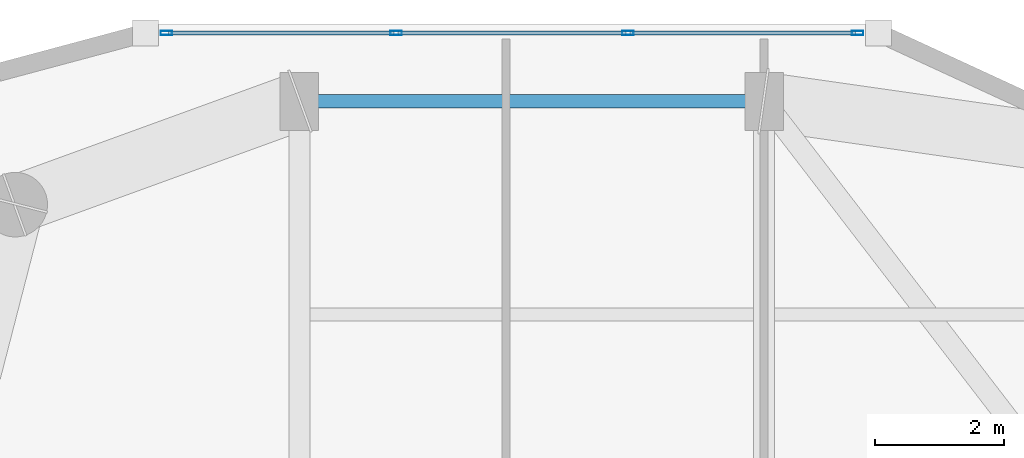
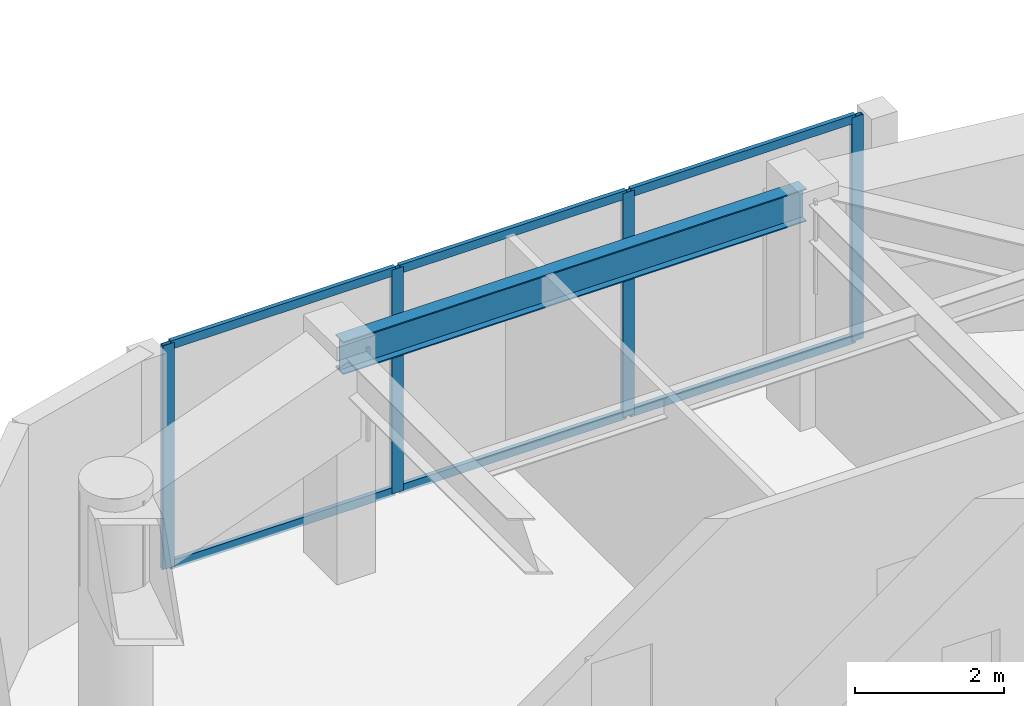
# One storey, part 6 of 16: 10 members, 1 beam, 1 element without a shape of its own.
"""IFC4 building model written with IfcOpenShell, lengths in metres."""

from ifc_helpers import new_model, si_unit, direction, frame, origin, origin_2d, place, context, subcontext, project, spatial, hollow_rectangle, i_section, extrude, material, layer, layer_set, material_profile, profile_set, type_object, element, aggregate, save


model = new_model("IFC4")

# Units and contexts
model_context = context("Model", 3, precision=1e-05, world=origin(), true_north=direction((0.0, 1.0)))
body_context = subcontext(model_context, "Body", "Model", "MODEL_VIEW")
ifc_project = project(units=[si_unit("LENGTHUNIT", "METRE"), si_unit("AREAUNIT", "SQUARE_METRE"), si_unit("VOLUMEUNIT", "CUBIC_METRE"), si_unit("PLANEANGLEUNIT", "RADIAN"), si_unit("MASSUNIT", "GRAM", prefix="KILO")], contexts=[model_context])

# Site, building, storey
site_placement = place(None, origin())
site = spatial("IfcSite", under=ifc_project, at=site_placement, CompositionType="ELEMENT")
building_placement = place(site_placement, origin())
building = spatial("IfcBuilding", under=site, at=building_placement, Name="Kiyonajd Concourse Tower", CompositionType="ELEMENT")
storey_placement = place(building_placement, frame((0.0, 0.0, 302.39990234375)))
storey = spatial("IfcBuildingStorey", under=building, at=storey_placement, Name="L76", CompositionType="ELEMENT", Elevation=302.39990234375)

# Beam
ifc_material_1 = material(Name="Steel ASTM A992 Grade 50", Category="steel")
ifc_material_profile_1 = material_profile(ifc_material_1, i_section(OverallWidth=0.2109375, OverallDepth=0.5390625, WebThickness=0.01171875, FlangeThickness=0.018798828125, at=origin_2d()), Name="W530X109")
ifc_profile_set_1 = profile_set([ifc_material_profile_1], Name="Steel ASTM A992 Grade 50")
beam_type = type_object("IfcBeamType", Name="BM-SPAN-530B", PredefinedType="SPANDREL", material=ifc_profile_set_1)
beam_placement = place(storey_placement, frame((39.60009765625, 52.199951171875, 3.41064453125), z_axis=(-1.0, 0.0, 0.0), x_axis=(0.0, -1.0, 0.0)))
element("IfcBeam", 1, at=beam_placement, inside=storey, type_object=beam_type, Name="L76 Perimeter Bundled Tube Spandrel", PredefinedType="SPANDREL", context=body_context, shape_type="SweptSolid", body=[
    extrude(i_section(OverallWidth=0.2109375, OverallDepth=0.5390625, WebThickness=0.01171875, FlangeThickness=0.018798828125, at=origin_2d()), origin(), (0.0, 0.0, 1.0), 7.2001953125),
])

# Curtain wall, members
ifc_material_2 = material(Name="Thermally Broken Anodised Aluminium", Category="aluminium")
ifc_layer = layer(ifc_material_2, 0.179931640625)
ifc_layer_set = layer_set([ifc_layer], Name="Thermally Broken Anodised Aluminium")
curtain_wall_type = type_object("IfcCurtainWallType", Name="CW-SYS-04", PredefinedType="NOTDEFINED", material=ifc_layer_set)
curtain_wall_placement = place(storey_placement, origin())
curtain_wall = element("IfcCurtainWall", 2, at=curtain_wall_placement, inside=storey, type_object=curtain_wall_type, Name="L76 Unitised Curtain Wall CW4", PredefinedType="NOTDEFINED")
ifc_material_profile_2 = material_profile(ifc_material_2, hollow_rectangle(XDim=0.06494140625, YDim=0.179931640625, WallThickness=0.00390625, at=origin_2d()), Name="MULL-65x180")
ifc_profile_set_2 = profile_set([ifc_material_profile_2], Name="Thermally Broken Anodised Aluminium")
member_type_1 = type_object("IfcMemberType", Name="MB-CW-MULL1", PredefinedType="MULLION", material=ifc_profile_set_2)
member_1_placement = place(storey_placement, frame((30.3408203125, 53.260009765625, 0.0), z_axis=(0.0, 0.0, 1.0), x_axis=(0.0, 1.0, 0.0)))
member_1 = element("IfcMember", 3, at=member_1_placement, type_object=member_type_1, Name="CW4 mullion 1", PredefinedType="MULLION", context=body_context, shape_type="SweptSolid", body=[
    extrude(hollow_rectangle(XDim=0.06494140625, YDim=0.179931640625, WallThickness=0.00390625, at=origin_2d()), origin(), (0.0, 0.0, 1.0), 3.68017578125),
])
member_2_placement = place(storey_placement, frame((33.898681640625, 53.260009765625, 0.0), z_axis=(0.0, 0.0, 1.0), x_axis=(0.0, 1.0, 0.0)))
member_2 = element("IfcMember", 4, at=member_2_placement, type_object=member_type_1, Name="CW4 mullion 2", PredefinedType="MULLION", context=body_context, shape_type="SweptSolid", body=[
    extrude(hollow_rectangle(XDim=0.06494140625, YDim=0.179931640625, WallThickness=0.00390625, at=origin_2d()), origin(), (0.0, 0.0, 1.0), 3.68017578125),
])
member_3_placement = place(storey_placement, frame((37.489013671875, 53.260009765625, 0.0), z_axis=(0.0, 0.0, 1.0), x_axis=(0.0, 1.0, 0.0)))
member_3 = element("IfcMember", 5, at=member_3_placement, type_object=member_type_1, Name="CW4 mullion 3", PredefinedType="MULLION", context=body_context, shape_type="SweptSolid", body=[
    extrude(hollow_rectangle(XDim=0.06494140625, YDim=0.179931640625, WallThickness=0.00390625, at=origin_2d()), origin(), (0.0, 0.0, 1.0), 3.68017578125),
])
member_4_placement = place(storey_placement, frame((41.046875, 53.260009765625, 0.0), z_axis=(0.0, 0.0, 1.0), x_axis=(0.0, 1.0, 0.0)))
member_4 = element("IfcMember", 6, at=member_4_placement, type_object=member_type_1, Name="CW4 mullion 4", PredefinedType="MULLION", context=body_context, shape_type="SweptSolid", body=[
    extrude(hollow_rectangle(XDim=0.06494140625, YDim=0.179931640625, WallThickness=0.00390625, at=origin_2d()), origin(), (0.0, 0.0, 1.0), 3.68017578125),
])
ifc_material_profile_3 = material_profile(ifc_material_2, hollow_rectangle(XDim=0.06494140625, YDim=0.139892578125, WallThickness=0.00390625, at=origin_2d()), Name="TRAN-65x140")
ifc_profile_set_3 = profile_set([ifc_material_profile_3], Name="Thermally Broken Anodised Aluminium")
member_type_2 = type_object("IfcMemberType", Name="MB-CW-TRAN1", PredefinedType="USERDEFINED", material=ifc_profile_set_3)
member_5_placement = place(storey_placement, frame((30.373291015625, 53.260009765625, 0.03271484375), z_axis=(1.0, 0.0, 0.0), x_axis=(0.0, 1.0, 0.0)))
member_5 = element("IfcMember", 7, at=member_5_placement, type_object=member_type_2, Name="CW4 transom 1.1", ObjectType="TRANSOM", PredefinedType="USERDEFINED", context=body_context, shape_type="SweptSolid", body=[
    extrude(hollow_rectangle(XDim=0.06494140625, YDim=0.139892578125, WallThickness=0.00390625, at=origin_2d()), origin(), (0.0, 0.0, 1.0), 3.492919921875),
])
member_6_placement = place(storey_placement, frame((30.373291015625, 53.260009765625, 3.647705078125), z_axis=(1.0, 0.0, 0.0), x_axis=(0.0, 1.0, 0.0)))
member_6 = element("IfcMember", 8, at=member_6_placement, type_object=member_type_2, Name="CW4 transom 1.2", ObjectType="TRANSOM", PredefinedType="USERDEFINED", context=body_context, shape_type="SweptSolid", body=[
    extrude(hollow_rectangle(XDim=0.06494140625, YDim=0.139892578125, WallThickness=0.00390625, at=origin_2d()), origin(), (0.0, 0.0, 1.0), 3.492919921875),
])
member_7_placement = place(storey_placement, frame((33.93115234375, 53.260009765625, 0.03271484375), z_axis=(1.0, 0.0, 0.0), x_axis=(0.0, 1.0, 0.0)))
member_7 = element("IfcMember", 9, at=member_7_placement, type_object=member_type_2, Name="CW4 transom 2.1", ObjectType="TRANSOM", PredefinedType="USERDEFINED", context=body_context, shape_type="SweptSolid", body=[
    extrude(hollow_rectangle(XDim=0.06494140625, YDim=0.139892578125, WallThickness=0.00390625, at=origin_2d()), origin(), (0.0, 0.0, 1.0), 3.525390625),
])
member_8_placement = place(storey_placement, frame((33.93115234375, 53.260009765625, 3.647705078125), z_axis=(1.0, 0.0, 0.0), x_axis=(0.0, 1.0, 0.0)))
member_8 = element("IfcMember", 10, at=member_8_placement, type_object=member_type_2, Name="CW4 transom 2.2", ObjectType="TRANSOM", PredefinedType="USERDEFINED", context=body_context, shape_type="SweptSolid", body=[
    extrude(hollow_rectangle(XDim=0.06494140625, YDim=0.139892578125, WallThickness=0.00390625, at=origin_2d()), origin(), (0.0, 0.0, 1.0), 3.525390625),
])
member_9_placement = place(storey_placement, frame((37.521484375, 53.260009765625, 0.03271484375), z_axis=(1.0, 0.0, 0.0), x_axis=(0.0, 1.0, 0.0)))
member_9 = element("IfcMember", 11, at=member_9_placement, type_object=member_type_2, Name="CW4 transom 3.1", ObjectType="TRANSOM", PredefinedType="USERDEFINED", context=body_context, shape_type="SweptSolid", body=[
    extrude(hollow_rectangle(XDim=0.06494140625, YDim=0.139892578125, WallThickness=0.00390625, at=origin_2d()), origin(), (0.0, 0.0, 1.0), 3.492919921875),
])
member_10_placement = place(storey_placement, frame((37.521484375, 53.260009765625, 3.647705078125), z_axis=(1.0, 0.0, 0.0), x_axis=(0.0, 1.0, 0.0)))
member_10 = element("IfcMember", 12, at=member_10_placement, type_object=member_type_2, Name="CW4 transom 3.2", ObjectType="TRANSOM", PredefinedType="USERDEFINED", context=body_context, shape_type="SweptSolid", body=[
    extrude(hollow_rectangle(XDim=0.06494140625, YDim=0.139892578125, WallThickness=0.00390625, at=origin_2d()), origin(), (0.0, 0.0, 1.0), 3.492919921875),
])
aggregate(curtain_wall, [member_1, member_2, member_3, member_4, member_5, member_6, member_7, member_8, member_9, member_10])

save(model, "model.ifc")
